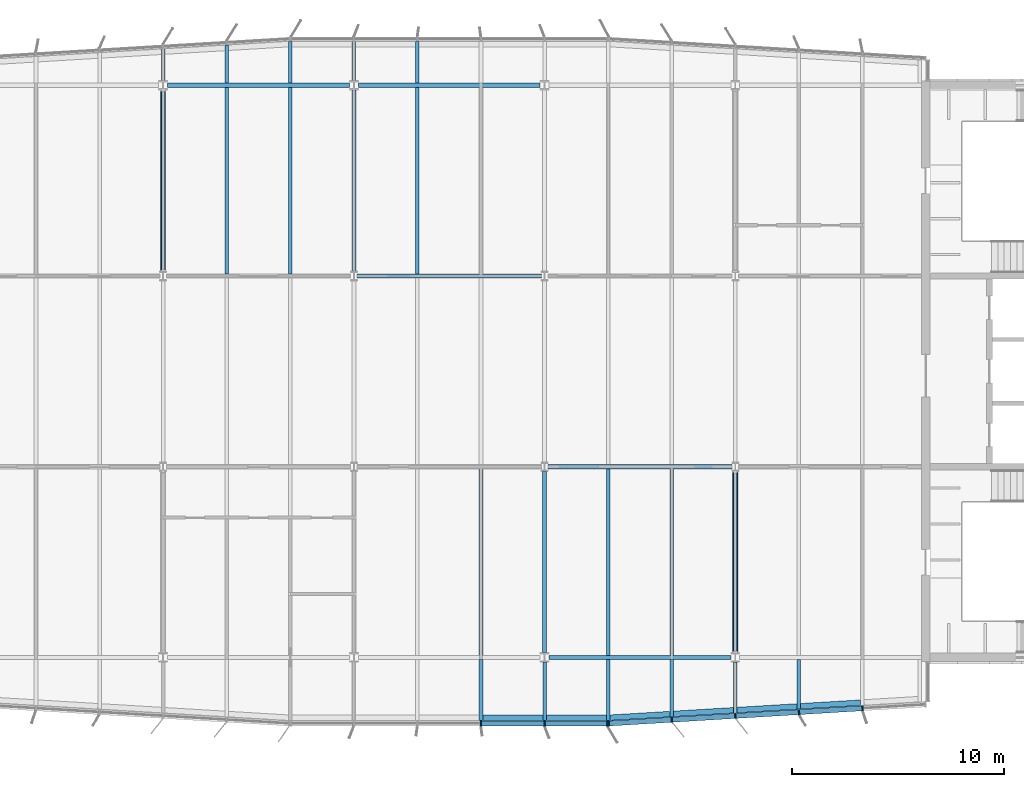
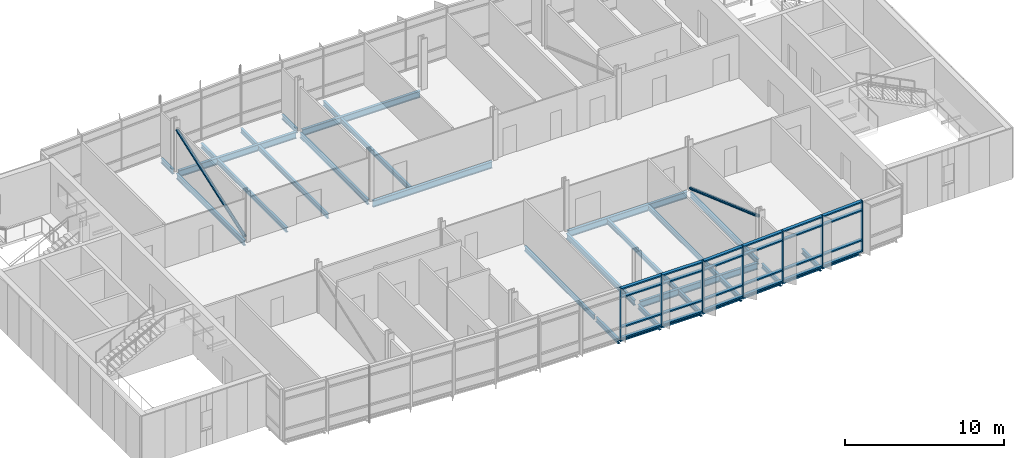
# One storey, part 5 of 18: 34 members, 32 beams, 2 elements without a shape of their own.
"""IFC4 building model written with IfcOpenShell, lengths in metres."""

import ifcopenshell
import ifcopenshell.guid

model = None  # the IFC model being written
_history = None  # IfcOwnerHistory: only IFC2X3 demands one
_inside = {}  # id of a spatial element -> (the spatial element, [elements in it])
_under = {}  # id of a project, library or spatial element -> (it, [spatial elements below it])
_declared = {}  # id of a project -> (the project, [libraries it declares])
_typed = {}  # id of a type object -> (the type object, [elements of that type])
_made_of = {}  # id of a material, layer set ... -> (it, [elements and type objects made of it])


def new_model(schema):
    """Start an empty IFC model of exactly this schema.

    Asked for "IFC4X3", IfcOpenShell would pick the latest addendum, in which some entities
    have other attributes; the version numbers below select the first issue.
    IFC2X3 requires an IfcOwnerHistory on every rooted entity: one is made here for all.
    """
    global model, _history
    if schema == "IFC4X3":
        model = ifcopenshell.file(schema_version=(4, 3, 0, 0))
    else:
        model = ifcopenshell.file(schema=schema)
    _inside.clear()
    _under.clear()
    _declared.clear()
    _typed.clear()
    _made_of.clear()
    _history = None
    if model.schema == "IFC2X3":
        org = make("IfcOrganization", Name="unknown")
        user = make(
            "IfcPersonAndOrganization",
            ThePerson=make("IfcPerson", FamilyName="unknown"),
            TheOrganization=org,
        )
        app = make(
            "IfcApplication",
            ApplicationDeveloper=org,
            Version="unknown",
            ApplicationFullName="unknown",
            ApplicationIdentifier="unknown",
        )
        _history = make(
            "IfcOwnerHistory",
            OwningUser=user,
            OwningApplication=app,
            ChangeAction="ADDED",
            CreationDate=0,
        )
    return model


def make(cls, **values):
    """One entity of the class cls with the attributes given. An attribute that is None is left unset."""
    return model.create_entity(
        cls, **{name: value for name, value in values.items() if value is not None}
    )


def rooted(cls, **values):
    """An entity with a GlobalId (a new one), such as an element, a storey or a relation."""
    return make(cls, GlobalId=ifcopenshell.guid.new(), OwnerHistory=_history, **values)


def si_unit(unit_type, name, prefix=None):
    """IfcSIUnit, for example si_unit("LENGTHUNIT", "METRE", prefix="MILLI")."""
    return make("IfcSIUnit", UnitType=unit_type, Prefix=prefix, Name=name)


def assignment(units):
    """IfcUnitAssignment: the units of a project."""
    return None if units is None else make("IfcUnitAssignment", Units=units)


def point(xyz):
    """IfcCartesianPoint."""
    return None if xyz is None else make("IfcCartesianPoint", Coordinates=xyz)


def direction(xyz):
    """IfcDirection."""
    return None if xyz is None else make("IfcDirection", DirectionRatios=xyz)


def frame(location, z_axis=None, x_axis=None):
    """IfcAxis2Placement3D, a coordinate frame: its origin and axes. An axis left out is left unset."""
    return make(
        "IfcAxis2Placement3D",
        Location=point(location),
        Axis=direction(z_axis),
        RefDirection=direction(x_axis),
    )


def frame_2d(location, x_axis=None):
    """IfcAxis2Placement2D, a coordinate frame in the plane: its origin and x axis."""
    return make(
        "IfcAxis2Placement2D", Location=point(location), RefDirection=direction(x_axis)
    )


def origin():
    """The frame at (0, 0, 0) with its axes left unset."""
    return frame((0.0, 0.0, 0.0))


def origin_2d():
    """The frame at (0, 0) in the plane with its x axis left unset."""
    return frame_2d((0.0, 0.0))


def place(relative_to, where):
    """IfcLocalPlacement: puts the frame where relative to a parent placement (None: the world)."""
    return make(
        "IfcLocalPlacement", PlacementRelTo=relative_to, RelativePlacement=where
    )


def context(
    kind, dimensions, precision=None, world=None, true_north=None, identifier=None
):
    """IfcGeometricRepresentationContext, for example the 3D "Model" context."""
    return make(
        "IfcGeometricRepresentationContext",
        ContextIdentifier=identifier,
        ContextType=kind,
        CoordinateSpaceDimension=dimensions,
        Precision=precision,
        WorldCoordinateSystem=world,
        TrueNorth=true_north,
    )


def subcontext(parent, identifier, kind, view, scale=None):
    """IfcGeometricRepresentationSubContext, for example "Body" below "Model"."""
    return make(
        "IfcGeometricRepresentationSubContext",
        ContextIdentifier=identifier,
        ContextType=kind,
        ParentContext=parent,
        TargetScale=scale,
        TargetView=view,
    )


def project(units=None, contexts=None):
    """IfcProject with its units and contexts."""
    return rooted(
        "IfcProject",
        Name="project",
        RepresentationContexts=contexts,
        UnitsInContext=assignment(units),
    )


def spatial(cls, under=None, at=None, **own):
    """A site, building, storey or space (cls), placed at a placement, below another one or the project."""
    s = rooted(cls, ObjectPlacement=at, **own)
    if under is not None:
        _under.setdefault(under.id(), (under, []))[1].append(s)
    return s


def profile(cls, at=None, kind="AREA", **sizes):
    """A parametric profile (cls). Its sizes go by their IFC names, for example OverallWidth=200.0."""
    return make(cls, ProfileType=kind, Position=at, **sizes)


def rectangle(**sizes):
    """IfcRectangleProfileDef."""
    return profile("IfcRectangleProfileDef", **sizes)


def hollow_circle(**sizes):
    """IfcCircleHollowProfileDef."""
    return profile("IfcCircleHollowProfileDef", **sizes)


def i_section(**sizes):
    """IfcIShapeProfileDef."""
    return profile("IfcIShapeProfileDef", **sizes)


def extrude(swept, where, along, depth):
    """IfcExtrudedAreaSolid: the profile swept, set in the frame where, extruded along a direction by depth."""
    return make(
        "IfcExtrudedAreaSolid",
        SweptArea=swept,
        Position=where,
        ExtrudedDirection=direction(along),
        Depth=depth,
    )


def shape(context_of_items, identifier, shape_type, items):
    """IfcShapeRepresentation: the items that make up one representation, for example the "Body"."""
    return make(
        "IfcShapeRepresentation",
        ContextOfItems=context_of_items,
        RepresentationIdentifier=identifier,
        RepresentationType=shape_type,
        Items=items,
    )


def material(Name=None, Category=None):
    """IfcMaterial."""
    return make("IfcMaterial", Name=Name, Category=Category)


def material_profile(
    of_material, cross_section, Name=None, Category=None, Priority=None
):
    """IfcMaterialProfile: a cross section and its material."""
    return make(
        "IfcMaterialProfile",
        Name=Name,
        Material=of_material,
        Profile=cross_section,
        Priority=Priority,
        Category=Category,
    )


def profile_set(profiles, Name=None, composite=None):
    """IfcMaterialProfileSet."""
    return make(
        "IfcMaterialProfileSet",
        Name=Name,
        MaterialProfiles=profiles,
        CompositeProfile=composite,
    )


def made_of(thing, what):
    """Note that an element or type object is made of a material, layer set ...; save() writes the relation."""
    if what is not None:
        _made_of.setdefault(what.id(), (what, []))[1].append(thing)
    return thing


def type_object(cls, material=None, **own):
    """A type object (cls), such as IfcWallType, which elements share."""
    return made_of(rooted(cls, **own), material)


def element(
    cls,
    number,
    at=None,
    inside=None,
    cuts=None,
    type_object=None,
    material=None,
    context=None,
    identifier="Body",
    shape_type=None,
    held_by="IfcProductDefinitionShape",
    body=None,
    shapes=None,
    **own,
):
    """One element of the class cls, such as IfcWall. Its Tag is "e" and its number.

    at: its placement. inside: the storey or other place that contains it. cuts: it is an
    opening in that element (IfcRelVoidsElement). A single representation is given by context,
    identifier, shape_type and body (its items); several are given by shapes. held_by: the class
    of the entity that holds the representations. save() writes the other relations.
    """
    e = rooted(cls, Tag="e%d" % number, ObjectPlacement=at, **own)
    if body is not None:
        shapes = [shape(context, identifier, shape_type, body)]
    if shapes is not None:
        e.Representation = make(held_by, Representations=shapes)
    if inside is not None:
        _inside.setdefault(inside.id(), (inside, []))[1].append(e)
    if cuts is not None:
        rooted(
            "IfcRelVoidsElement", RelatingBuildingElement=cuts, RelatedOpeningElement=e
        )
    if type_object is not None:
        _typed.setdefault(type_object.id(), (type_object, []))[1].append(e)
    return made_of(e, material)


def aggregate(whole, parts):
    """IfcRelAggregates: a whole, such as a stair, and the parts it consists of."""
    return rooted("IfcRelAggregates", RelatingObject=whole, RelatedObjects=parts)


def save(model, path):
    """Write the relations noted so far, then the file.

    IfcRelAggregates (storeys below a building ...), IfcRelContainedInSpatialStructure (elements
    in a storey), IfcRelDefinesByType, IfcRelAssociatesMaterial and IfcRelDeclares: one each for
    every whole, place, type object, material and project.
    """
    for whole, parts in _under.values():
        aggregate(whole, parts)
    for where, things in _inside.values():
        rooted(
            "IfcRelContainedInSpatialStructure",
            RelatedElements=things,
            RelatingStructure=where,
        )
    for kind, things in _typed.values():
        rooted("IfcRelDefinesByType", RelatedObjects=things, RelatingType=kind)
    for what, things in _made_of.values():
        rooted("IfcRelAssociatesMaterial", RelatedObjects=things, RelatingMaterial=what)
    for by, libraries in _declared.values():
        rooted("IfcRelDeclares", RelatingContext=by, RelatedDefinitions=libraries)
    model.write(path)


model = new_model("IFC4")

# Units and contexts
model_context = context("Model", 3, precision=1e-05, world=origin(), true_north=direction((0.0, 1.0)))
body_context = subcontext(model_context, "Body", "Model", "MODEL_VIEW")
ifc_project = project(units=[si_unit("LENGTHUNIT", "METRE"), si_unit("AREAUNIT", "SQUARE_METRE"), si_unit("VOLUMEUNIT", "CUBIC_METRE"), si_unit("PLANEANGLEUNIT", "RADIAN"), si_unit("MASSUNIT", "GRAM", prefix="KILO")], contexts=[model_context])

# Site, building, storey
site_placement = place(None, origin())
site = spatial("IfcSite", under=ifc_project, at=site_placement, CompositionType="ELEMENT")
building_placement = place(site_placement, origin())
building = spatial("IfcBuilding", under=site, at=building_placement, Name="Azimuth Sports and Learning Centre", CompositionType="ELEMENT")
storey_placement = place(building_placement, frame((0.0, 0.0, 55.800048828125)))
storey = spatial("IfcBuildingStorey", under=building, at=storey_placement, Name="L12", CompositionType="ELEMENT", Elevation=55.800048828125)

# Beams
ifc_material_1 = material(Name="Steel S355", Category="steel")
ifc_material_profile_1 = material_profile(ifc_material_1, i_section(OverallWidth=0.179931640625, OverallDepth=0.39990234375, WebThickness=0.008544921875, FlangeThickness=0.013427734375, FilletRadius=0.02099609375, at=origin_2d()), Name="IPE 400")
ifc_profile_set_1 = profile_set([ifc_material_profile_1], Name="Steel S355")
beam_type_1 = type_object("IfcBeamType", Name="Beam IPE 400", PredefinedType="BEAM", material=ifc_profile_set_1)
for number, where, z_axis, x_axis, name in (
    (1, (72.0, 108.216064453125, -0.330078125), (0.0, 1.0, 0.0), (-1.0, 0.0, 0.0), "Tower tie"),
    (2, (81.0, 108.216064453125, -0.330078125), (0.0, 1.0, 0.0), (-1.0, 0.0, 0.0), "Tower tie"),
    (3, (90.0, 90.2275390625, -0.330078125), (0.0, 1.0, 0.0), (-1.0, 0.0, 0.0), "Tower tie"),
    (4, (99.0, 90.2275390625, -0.330078125), (0.0, 1.0, 0.0), (-1.0, 0.0, 0.0), "Tower tie"),
):
    element("IfcBeam", number, at=place(storey_placement, frame(where, z_axis=z_axis, x_axis=x_axis)), inside=storey, type_object=beam_type_1, Name=name, PredefinedType="BEAM", context=body_context, shape_type="SweptSolid", body=[
        extrude(i_section(OverallWidth=0.179931640625, OverallDepth=0.39990234375, WebThickness=0.008544921875, FlangeThickness=0.013427734375, FilletRadius=0.02099609375, at=origin_2d()), origin(), (0.0, 0.0, 1.0), 8.556396484375),
    ])
ifc_material_2 = material(Name="Steel S355", Category="steel")
ifc_material_profile_2 = material_profile(ifc_material_2, i_section(OverallWidth=0.199951171875, OverallDepth=0.5, WebThickness=0.01025390625, FlangeThickness=0.01611328125, FilletRadius=0.02099609375, at=origin_2d()), Name="IPE 500")
ifc_profile_set_2 = profile_set([ifc_material_profile_2], Name="Steel S355")
beam_type_2 = type_object("IfcBeamType", Name="Beam IPE 500", PredefinedType="BEAM", material=ifc_profile_set_2)
beam_1_placement = place(storey_placement, frame((90.208984375, 90.0, -0.380126953125), z_axis=(1.0, 0.0, 0.0), x_axis=(0.0, 1.0, 0.0)))
element("IfcBeam", 5, at=beam_1_placement, inside=storey, type_object=beam_type_2, Name="Tower girder L12", PredefinedType="BEAM", context=body_context, shape_type="SweptSolid", body=[
    extrude(i_section(OverallWidth=0.199951171875, OverallDepth=0.5, WebThickness=0.01025390625, FlangeThickness=0.01611328125, FilletRadius=0.02099609375, at=origin_2d()), origin(), (0.0, 0.0, 1.0), 8.58203125),
])
for number, where, z_axis, x_axis, name in (
    (6, (90.153564453125, 99.0, -0.380126953125), (1.0, 0.0, 0.0), (0.0, 1.0, 0.0), "Tower girder L12"),
    (7, (81.153564453125, 108.0, -0.380126953125), (1.0, 0.0, 0.0), (0.0, 1.0, 0.0), "Tower girder L12"),
):
    element("IfcBeam", number, at=place(storey_placement, frame(where, z_axis=z_axis, x_axis=x_axis)), inside=storey, type_object=beam_type_2, Name=name, PredefinedType="BEAM", context=body_context, shape_type="SweptSolid", body=[
        extrude(i_section(OverallWidth=0.199951171875, OverallDepth=0.5, WebThickness=0.01025390625, FlangeThickness=0.01611328125, FilletRadius=0.02099609375, at=origin_2d()), origin(), (0.0, 0.0, 1.0), 8.69287109375),
    ])
for number, where, z_axis, x_axis, name in (
    (8, (72.208984375, 117.0, -0.380126953125), (1.0, 0.0, 0.0), (0.0, 1.0, 0.0), "Tower girder L12"),
    (9, (81.208984375, 117.0, -0.380126953125), (1.0, 0.0, 0.0), (0.0, 1.0, 0.0), "Tower girder L12"),
):
    element("IfcBeam", number, at=place(storey_placement, frame(where, z_axis=z_axis, x_axis=x_axis)), inside=storey, type_object=beam_type_2, Name=name, PredefinedType="BEAM", context=body_context, shape_type="SweptSolid", body=[
        extrude(i_section(OverallWidth=0.199951171875, OverallDepth=0.5, WebThickness=0.01025390625, FlangeThickness=0.01611328125, FilletRadius=0.02099609375, at=origin_2d()), origin(), (0.0, 0.0, 1.0), 8.58203125),
    ])

# Members
ifc_material_3 = material(Name="Steel S355", Category="steel")
ifc_material_profile_3 = material_profile(ifc_material_3, hollow_circle(Radius=0.122314453125, WallThickness=0.012451171875, at=origin_2d()), Name="CHS 244.5x12.5")
ifc_profile_set_3 = profile_set([ifc_material_profile_3], Name="Steel S355")
member_type_1 = type_object("IfcMemberType", Name="Brace CHS 244.5x12.5", PredefinedType="BRACE", material=ifc_profile_set_3)
for number, where, z_axis, x_axis, name in (
    (10, (72.0, 108.237060546875, 0.169677734375), (0.0, 0.942103788853, 0.33532141451), (-1.0, 0.0, 0.0), "Tower brace 9 L12"),
    (11, (99.0, 90.24853515625, 3.2001953125), (0.0, 0.942103788853, -0.33532141451), (-1.0, 0.0, 0.0), "Tower brace 12 L12"),
):
    element("IfcMember", number, at=place(storey_placement, frame(where, z_axis=z_axis, x_axis=x_axis)), inside=storey, type_object=member_type_1, Name=name, PredefinedType="BRACE", context=body_context, shape_type="SweptSolid", body=[
        extrude(hollow_circle(Radius=0.122314453125, WallThickness=0.012451171875, at=origin_2d()), origin(), (0.0, 0.0, 1.0), 9.03759765625),
    ])

# Beams
ifc_material_4 = material(Name="Steel S355", Category="steel")
ifc_material_profile_4 = material_profile(ifc_material_4, i_section(OverallWidth=0.169921875, OverallDepth=0.360107421875, WebThickness=0.008056640625, FlangeThickness=0.0126953125, FilletRadius=0.01806640625, at=origin_2d()), Name="IPE 360")
ifc_profile_set_4 = profile_set([ifc_material_profile_4], Name="Steel S355")
beam_type_3 = type_object("IfcBeamType", Name="Cantilever stub IPE 360", PredefinedType="JOIST", material=ifc_profile_set_4)
beam_2_placement = place(storey_placement, frame((87.0, 89.89990234375, -0.31005859375), z_axis=(0.0, -1.0, 0.0), x_axis=(1.0, 0.0, 0.0)))
element("IfcBeam", 12, at=beam_2_placement, inside=storey, type_object=beam_type_3, Name="Tower cantilever stub", PredefinedType="JOIST", context=body_context, shape_type="SweptSolid", body=[
    extrude(i_section(OverallWidth=0.169921875, OverallDepth=0.360107421875, WebThickness=0.008056640625, FlangeThickness=0.0126953125, FilletRadius=0.01806640625, at=origin_2d()), origin(), (0.0, 0.0, 1.0), 2.8798828125),
])
beam_3_placement = place(storey_placement, frame((90.0, 89.7724609375, -0.31005859375), z_axis=(0.0, -1.0, 0.0), x_axis=(1.0, 0.0, 0.0)))
element("IfcBeam", 13, at=beam_3_placement, inside=storey, type_object=beam_type_3, Name="Tower cantilever stub", PredefinedType="JOIST", context=body_context, shape_type="SweptSolid", body=[
    extrude(i_section(OverallWidth=0.169921875, OverallDepth=0.360107421875, WebThickness=0.008056640625, FlangeThickness=0.0126953125, FilletRadius=0.01806640625, at=origin_2d()), origin(), (0.0, 0.0, 1.0), 2.75244140625),
])
beam_4_placement = place(storey_placement, frame((93.0, 89.89990234375, -0.31005859375), z_axis=(0.0, -1.0, 0.0), x_axis=(1.0, 0.0, 0.0)))
element("IfcBeam", 14, at=beam_4_placement, inside=storey, type_object=beam_type_3, Name="Tower cantilever stub", PredefinedType="JOIST", context=body_context, shape_type="SweptSolid", body=[
    extrude(i_section(OverallWidth=0.169921875, OverallDepth=0.360107421875, WebThickness=0.008056640625, FlangeThickness=0.0126953125, FilletRadius=0.01806640625, at=origin_2d()), origin(), (0.0, 0.0, 1.0), 2.8798828125),
])
beam_5_placement = place(storey_placement, frame((96.0, 89.89990234375, -0.31005859375), z_axis=(0.0, -1.0, 0.0), x_axis=(1.0, 0.0, 0.0)))
element("IfcBeam", 15, at=beam_5_placement, inside=storey, type_object=beam_type_3, Name="Tower cantilever stub", PredefinedType="JOIST", context=body_context, shape_type="SweptSolid", body=[
    extrude(i_section(OverallWidth=0.169921875, OverallDepth=0.360107421875, WebThickness=0.008056640625, FlangeThickness=0.0126953125, FilletRadius=0.01806640625, at=origin_2d()), origin(), (0.0, 0.0, 1.0), 2.699951171875),
])
beam_6_placement = place(storey_placement, frame((99.0, 89.7724609375, -0.31005859375), z_axis=(0.0, -1.0, 0.0), x_axis=(1.0, 0.0, 0.0)))
element("IfcBeam", 16, at=beam_6_placement, inside=storey, type_object=beam_type_3, Name="Tower cantilever stub", PredefinedType="JOIST", context=body_context, shape_type="SweptSolid", body=[
    extrude(i_section(OverallWidth=0.169921875, OverallDepth=0.360107421875, WebThickness=0.008056640625, FlangeThickness=0.0126953125, FilletRadius=0.01806640625, at=origin_2d()), origin(), (0.0, 0.0, 1.0), 2.392578125),
])
beam_7_placement = place(storey_placement, frame((102.0, 89.89990234375, -0.31005859375), z_axis=(0.0, -1.0, 0.0), x_axis=(1.0, 0.0, 0.0)))
element("IfcBeam", 17, at=beam_7_placement, inside=storey, type_object=beam_type_3, Name="Tower cantilever stub", PredefinedType="JOIST", context=body_context, shape_type="SweptSolid", body=[
    extrude(i_section(OverallWidth=0.169921875, OverallDepth=0.360107421875, WebThickness=0.008056640625, FlangeThickness=0.0126953125, FilletRadius=0.01806640625, at=origin_2d()), origin(), (0.0, 0.0, 1.0), 2.33984375),
])
beam_8_placement = place(storey_placement, frame((72.0, 117.2275390625, -0.31005859375), z_axis=(0.0, 1.0, 0.0), x_axis=(-1.0, 0.0, 0.0)))
element("IfcBeam", 18, at=beam_8_placement, inside=storey, type_object=beam_type_3, Name="Tower cantilever stub", PredefinedType="JOIST", context=body_context, shape_type="SweptSolid", body=[
    extrude(i_section(OverallWidth=0.169921875, OverallDepth=0.360107421875, WebThickness=0.008056640625, FlangeThickness=0.0126953125, FilletRadius=0.01806640625, at=origin_2d()), origin(), (0.0, 0.0, 1.0), 1.492431640625),
])
beam_9_placement = place(storey_placement, frame((75.0, 117.10009765625, -0.31005859375), z_axis=(0.0, 1.0, 0.0), x_axis=(-1.0, 0.0, 0.0)))
element("IfcBeam", 19, at=beam_9_placement, inside=storey, type_object=beam_type_3, Name="Tower cantilever stub", PredefinedType="JOIST", context=body_context, shape_type="SweptSolid", body=[
    extrude(i_section(OverallWidth=0.169921875, OverallDepth=0.360107421875, WebThickness=0.008056640625, FlangeThickness=0.0126953125, FilletRadius=0.01806640625, at=origin_2d()), origin(), (0.0, 0.0, 1.0), 1.7998046875),
])
beam_10_placement = place(storey_placement, frame((78.0, 117.10009765625, -0.31005859375), z_axis=(0.0, 1.0, 0.0), x_axis=(-1.0, 0.0, 0.0)))
element("IfcBeam", 20, at=beam_10_placement, inside=storey, type_object=beam_type_3, Name="Tower cantilever stub", PredefinedType="JOIST", context=body_context, shape_type="SweptSolid", body=[
    extrude(i_section(OverallWidth=0.169921875, OverallDepth=0.360107421875, WebThickness=0.008056640625, FlangeThickness=0.0126953125, FilletRadius=0.01806640625, at=origin_2d()), origin(), (0.0, 0.0, 1.0), 1.97998046875),
])
beam_11_placement = place(storey_placement, frame((81.0, 117.2275390625, -0.31005859375), z_axis=(0.0, 1.0, 0.0), x_axis=(-1.0, 0.0, 0.0)))
element("IfcBeam", 21, at=beam_11_placement, inside=storey, type_object=beam_type_3, Name="Tower cantilever stub", PredefinedType="JOIST", context=body_context, shape_type="SweptSolid", body=[
    extrude(i_section(OverallWidth=0.169921875, OverallDepth=0.360107421875, WebThickness=0.008056640625, FlangeThickness=0.0126953125, FilletRadius=0.01806640625, at=origin_2d()), origin(), (0.0, 0.0, 1.0), 1.8525390625),
])
beam_12_placement = place(storey_placement, frame((84.0, 117.10009765625, -0.31005859375), z_axis=(0.0, 1.0, 0.0), x_axis=(-1.0, 0.0, 0.0)))
element("IfcBeam", 22, at=beam_12_placement, inside=storey, type_object=beam_type_3, Name="Tower cantilever stub", PredefinedType="JOIST", context=body_context, shape_type="SweptSolid", body=[
    extrude(i_section(OverallWidth=0.169921875, OverallDepth=0.360107421875, WebThickness=0.008056640625, FlangeThickness=0.0126953125, FilletRadius=0.01806640625, at=origin_2d()), origin(), (0.0, 0.0, 1.0), 1.97998046875),
])
ifc_material_5 = material(Name="Steel S355", Category="steel")
ifc_material_profile_5 = material_profile(ifc_material_5, i_section(OverallWidth=0.260009765625, OverallDepth=0.25, WebThickness=0.007568359375, FlangeThickness=0.012451171875, FilletRadius=0.02392578125, at=origin_2d()), Name="HEA 260")
ifc_profile_set_5 = profile_set([ifc_material_profile_5], Name="Steel S355")
beam_type_4 = type_object("IfcBeamType", Name="Edge beam HEA 260", PredefinedType="SPANDREL", material=ifc_profile_set_5)
for number, where, z_axis, x_axis, name in (
    (23, (87.0849609375, 87.14990234375, -0.255126953125), (1.0, 0.0, 0.0), (0.0, 1.0, 0.0), "Tower edge beam"),
    (24, (90.0849609375, 87.14990234375, -0.255126953125), (1.0, 0.0, 0.0), (0.0, 1.0, 0.0), "Tower edge beam"),
):
    element("IfcBeam", number, at=place(storey_placement, frame(where, z_axis=z_axis, x_axis=x_axis)), inside=storey, type_object=beam_type_4, Name=name, PredefinedType="SPANDREL", context=body_context, shape_type="SweptSolid", body=[
        extrude(i_section(OverallWidth=0.260009765625, OverallDepth=0.25, WebThickness=0.007568359375, FlangeThickness=0.012451171875, FilletRadius=0.02392578125, at=origin_2d()), origin(), (0.0, 0.0, 1.0), 2.830078125),
    ])
for number, where, z_axis, x_axis, name in (
    (25, (93.0849609375, 87.155029296875, -0.255126953125), (0.998202373506, 0.059933475842, 0.0), (-0.059933475842, 0.998202373506, 0.0), "Tower edge beam"),
    (26, (96.0849609375, 87.335205078125, -0.255126953125), (0.998207521518, 0.059847673176, 0.0), (-0.059847673176, 0.998207521518, 0.0), "Tower edge beam"),
    (27, (99.0849609375, 87.51513671875, -0.255126953125), (0.998207521518, 0.059847673176, 0.0), (-0.059847673176, 0.998207521518, 0.0), "Tower edge beam"),
    (28, (102.0849609375, 87.695068359375, -0.255126953125), (0.998202373506, 0.059933475842, 0.0), (-0.059933475842, 0.998202373506, 0.0), "Tower edge beam"),
):
    element("IfcBeam", number, at=place(storey_placement, frame(where, z_axis=z_axis, x_axis=x_axis)), inside=storey, type_object=beam_type_4, Name=name, PredefinedType="SPANDREL", context=body_context, shape_type="SweptSolid", body=[
        extrude(i_section(OverallWidth=0.260009765625, OverallDepth=0.25, WebThickness=0.007568359375, FlangeThickness=0.012451171875, FilletRadius=0.02392578125, at=origin_2d()), origin(), (0.0, 0.0, 1.0), 2.835205078125),
    ])
ifc_material_6 = material(Name="Steel S355", Category="steel")
ifc_material_profile_6 = material_profile(ifc_material_6, i_section(OverallWidth=0.169921875, OverallDepth=0.360107421875, WebThickness=0.008056640625, FlangeThickness=0.0126953125, FilletRadius=0.01806640625, at=origin_2d()), Name="IPE 360")
ifc_profile_set_6 = profile_set([ifc_material_profile_6], Name="Steel S355")
beam_type_5 = type_object("IfcBeamType", Name="Joist IPE 360", PredefinedType="JOIST", material=ifc_profile_set_6)
for number, where, z_axis, x_axis, name in (
    (29, (75.0, 108.10009765625, -0.31005859375), (0.0, 1.0, 0.0), (-1.0, 0.0, 0.0), "Tower joist"),
    (30, (78.0, 108.10009765625, -0.31005859375), (0.0, 1.0, 0.0), (-1.0, 0.0, 0.0), "Tower joist"),
    (31, (84.0, 108.10009765625, -0.31005859375), (0.0, 1.0, 0.0), (-1.0, 0.0, 0.0), "Tower joist"),
    (32, (87.0, 90.10009765625, -0.31005859375), (0.0, 1.0, 0.0), (-1.0, 0.0, 0.0), "Tower joist"),
    (33, (93.0, 90.10009765625, -0.31005859375), (0.0, 1.0, 0.0), (-1.0, 0.0, 0.0), "Tower joist"),
    (34, (96.0, 90.10009765625, -0.31005859375), (0.0, 1.0, 0.0), (-1.0, 0.0, 0.0), "Tower joist"),
):
    element("IfcBeam", number, at=place(storey_placement, frame(where, z_axis=z_axis, x_axis=x_axis)), inside=storey, type_object=beam_type_5, Name=name, PredefinedType="JOIST", context=body_context, shape_type="SweptSolid", body=[
        extrude(i_section(OverallWidth=0.169921875, OverallDepth=0.360107421875, WebThickness=0.008056640625, FlangeThickness=0.0126953125, FilletRadius=0.01806640625, at=origin_2d()), origin(), (0.0, 0.0, 1.0), 8.7998046875),
    ])

# Curtain wall, members
ifc_material_7 = material(Name="Aluminium and glass", Category="aluminium")
curtain_wall_type = type_object("IfcCurtainWallType", Name="Curtain wall tower south 240", PredefinedType="NOTDEFINED", material=ifc_material_7)
curtain_wall_1_placement = place(storey_placement, origin())
curtain_wall_1 = element("IfcCurtainWall", 35, at=curtain_wall_1_placement, inside=storey, type_object=curtain_wall_type, Name="Curtain wall CW12-003", PredefinedType="NOTDEFINED")
ifc_material_8 = material(Name="Aluminium", Category="aluminium")
ifc_material_profile_7 = material_profile(ifc_material_8, rectangle(XDim=0.239990234375, YDim=0.070068359375, at=origin_2d()), Name="Mullion 70x240")
ifc_profile_set_7 = profile_set([ifc_material_profile_7], Name="Aluminium")
member_type_2 = type_object("IfcMemberType", Name="Mullion 70x240", PredefinedType="MULLION", material=ifc_profile_set_7)
member_1_placement = place(storey_placement, frame((87.0, 86.8798828125, 0.0), z_axis=(0.0, 0.0, 1.0), x_axis=(0.0, 1.0, 0.0)))
member_1 = element("IfcMember", 36, at=member_1_placement, type_object=member_type_2, Name="CW12-003 mullion 4", PredefinedType="MULLION", context=body_context, shape_type="SweptSolid", body=[
    extrude(rectangle(XDim=0.239990234375, YDim=0.070068359375, at=origin_2d()), origin(), (0.0, 0.0, 1.0), 3.89990234375),
])
member_2_placement = place(storey_placement, frame((90.0, 86.8798828125, 0.0), z_axis=(0.0, 0.0, 1.0), x_axis=(0.0, 1.0, 0.0)))
member_2 = element("IfcMember", 37, at=member_2_placement, type_object=member_type_2, Name="CW12-003 mullion 5", PredefinedType="MULLION", context=body_context, shape_type="SweptSolid", body=[
    extrude(rectangle(XDim=0.239990234375, YDim=0.070068359375, at=origin_2d()), origin(), (0.0, 0.0, 1.0), 3.89990234375),
])
member_3_placement = place(storey_placement, frame((92.965087890625, 86.8798828125, 0.0), z_axis=(0.0, 0.0, 1.0), x_axis=(0.0, 1.0, 0.0)))
member_3 = element("IfcMember", 38, at=member_3_placement, type_object=member_type_2, Name="CW12-003 mullion 6", PredefinedType="MULLION", context=body_context, shape_type="SweptSolid", body=[
    extrude(rectangle(XDim=0.239990234375, YDim=0.070068359375, at=origin_2d()), origin(), (0.0, 0.0, 1.0), 3.89990234375),
])

curtain_wall_2_placement = place(storey_placement, origin())
curtain_wall_2 = element("IfcCurtainWall", 39, at=curtain_wall_2_placement, inside=storey, type_object=curtain_wall_type, Name="Curtain wall CW12-004", PredefinedType="NOTDEFINED")
member_4_placement = place(storey_placement, frame((93.034912109375, 86.8818359375, 0.0), z_axis=(0.0, 0.0, 1.0), x_axis=(-0.059891991812, 0.998204863401, 0.0)))
member_4 = element("IfcMember", 40, at=member_4_placement, type_object=member_type_2, Name="CW12-004 mullion 1", PredefinedType="MULLION", context=body_context, shape_type="SweptSolid", body=[
    extrude(rectangle(XDim=0.239990234375, YDim=0.070068359375, at=origin_2d()), origin(), (0.0, 0.0, 1.0), 3.89990234375),
])
member_5_placement = place(storey_placement, frame((96.007080078125, 87.060302734375, 0.0), z_axis=(0.0, 0.0, 1.0), x_axis=(-0.059891991812, 0.998204863401, 0.0)))
member_5 = element("IfcMember", 41, at=member_5_placement, type_object=member_type_2, Name="CW12-004 mullion 2", PredefinedType="MULLION", context=body_context, shape_type="SweptSolid", body=[
    extrude(rectangle(XDim=0.239990234375, YDim=0.070068359375, at=origin_2d()), origin(), (0.0, 0.0, 1.0), 3.89990234375),
])
member_6_placement = place(storey_placement, frame((99.007080078125, 87.240234375, 0.0), z_axis=(0.0, 0.0, 1.0), x_axis=(-0.059891991812, 0.998204863401, 0.0)))
member_6 = element("IfcMember", 42, at=member_6_placement, type_object=member_type_2, Name="CW12-004 mullion 3", PredefinedType="MULLION", context=body_context, shape_type="SweptSolid", body=[
    extrude(rectangle(XDim=0.239990234375, YDim=0.070068359375, at=origin_2d()), origin(), (0.0, 0.0, 1.0), 3.89990234375),
])
member_7_placement = place(storey_placement, frame((102.007080078125, 87.420166015625, 0.0), z_axis=(0.0, 0.0, 1.0), x_axis=(-0.059891991812, 0.998204863401, 0.0)))
member_7 = element("IfcMember", 43, at=member_7_placement, type_object=member_type_2, Name="CW12-004 mullion 4", PredefinedType="MULLION", context=body_context, shape_type="SweptSolid", body=[
    extrude(rectangle(XDim=0.239990234375, YDim=0.070068359375, at=origin_2d()), origin(), (0.0, 0.0, 1.0), 3.89990234375),
])
member_8_placement = place(storey_placement, frame((105.007080078125, 87.60009765625, 0.0), z_axis=(0.0, 0.0, 1.0), x_axis=(-0.059891991812, 0.998204863401, 0.0)))
member_8 = element("IfcMember", 44, at=member_8_placement, type_object=member_type_2, Name="CW12-004 mullion 5", PredefinedType="MULLION", context=body_context, shape_type="SweptSolid", body=[
    extrude(rectangle(XDim=0.239990234375, YDim=0.070068359375, at=origin_2d()), origin(), (0.0, 0.0, 1.0), 3.89990234375),
])

# Member
ifc_material_9 = material(Name="Aluminium", Category="aluminium")
ifc_material_profile_8 = material_profile(ifc_material_9, rectangle(XDim=0.239990234375, YDim=0.10009765625, at=origin_2d()), Name="Transom 100x240")
ifc_profile_set_8 = profile_set([ifc_material_profile_8], Name="Aluminium")
member_type_3 = type_object("IfcMemberType", Name="Transom 100x240", PredefinedType="USERDEFINED", material=ifc_profile_set_8)
member_9_placement = place(storey_placement, frame((87.034912109375, 86.8798828125, 0.050048828125), z_axis=(1.0, 0.0, 0.0), x_axis=(0.0, 1.0, 0.0)))
member_9 = element("IfcMember", 45, at=member_9_placement, type_object=member_type_3, Name="CW12-003 transom 4.1", ObjectType="TRANSOM", PredefinedType="USERDEFINED", context=body_context, shape_type="SweptSolid", body=[
    extrude(rectangle(XDim=0.239990234375, YDim=0.10009765625, at=origin_2d()), origin(), (0.0, 0.0, 1.0), 2.93017578125),
])

member_10_placement = place(storey_placement, frame((87.034912109375, 86.8798828125, 0.89990234375), z_axis=(1.0, 0.0, 0.0), x_axis=(0.0, 1.0, 0.0)))
member_10 = element("IfcMember", 46, at=member_10_placement, type_object=member_type_3, Name="CW12-003 transom 4.2", ObjectType="TRANSOM", PredefinedType="USERDEFINED", context=body_context, shape_type="SweptSolid", body=[
    extrude(rectangle(XDim=0.239990234375, YDim=0.10009765625, at=origin_2d()), origin(), (0.0, 0.0, 1.0), 2.93017578125),
])

member_11_placement = place(storey_placement, frame((87.034912109375, 86.8798828125, 3.199951171875), z_axis=(1.0, 0.0, 0.0), x_axis=(0.0, 1.0, 0.0)))
member_11 = element("IfcMember", 47, at=member_11_placement, type_object=member_type_3, Name="CW12-003 transom 4.3", ObjectType="TRANSOM", PredefinedType="USERDEFINED", context=body_context, shape_type="SweptSolid", body=[
    extrude(rectangle(XDim=0.239990234375, YDim=0.10009765625, at=origin_2d()), origin(), (0.0, 0.0, 1.0), 2.93017578125),
])

member_12_placement = place(storey_placement, frame((87.034912109375, 86.8798828125, 3.849853515625), z_axis=(1.0, 0.0, 0.0), x_axis=(0.0, 1.0, 0.0)))
member_12 = element("IfcMember", 48, at=member_12_placement, type_object=member_type_3, Name="CW12-003 transom 4.4", ObjectType="TRANSOM", PredefinedType="USERDEFINED", context=body_context, shape_type="SweptSolid", body=[
    extrude(rectangle(XDim=0.239990234375, YDim=0.10009765625, at=origin_2d()), origin(), (0.0, 0.0, 1.0), 2.93017578125),
])

member_13_placement = place(storey_placement, frame((90.034912109375, 86.8798828125, 0.050048828125), z_axis=(1.0, 0.0, 0.0), x_axis=(0.0, 1.0, 0.0)))
member_13 = element("IfcMember", 49, at=member_13_placement, type_object=member_type_3, Name="CW12-003 transom 5.1", ObjectType="TRANSOM", PredefinedType="USERDEFINED", context=body_context, shape_type="SweptSolid", body=[
    extrude(rectangle(XDim=0.239990234375, YDim=0.10009765625, at=origin_2d()), origin(), (0.0, 0.0, 1.0), 2.89501953125),
])

member_14_placement = place(storey_placement, frame((90.034912109375, 86.8798828125, 0.89990234375), z_axis=(1.0, 0.0, 0.0), x_axis=(0.0, 1.0, 0.0)))
member_14 = element("IfcMember", 50, at=member_14_placement, type_object=member_type_3, Name="CW12-003 transom 5.2", ObjectType="TRANSOM", PredefinedType="USERDEFINED", context=body_context, shape_type="SweptSolid", body=[
    extrude(rectangle(XDim=0.239990234375, YDim=0.10009765625, at=origin_2d()), origin(), (0.0, 0.0, 1.0), 2.89501953125),
])

member_15_placement = place(storey_placement, frame((90.034912109375, 86.8798828125, 3.199951171875), z_axis=(1.0, 0.0, 0.0), x_axis=(0.0, 1.0, 0.0)))
member_15 = element("IfcMember", 51, at=member_15_placement, type_object=member_type_3, Name="CW12-003 transom 5.3", ObjectType="TRANSOM", PredefinedType="USERDEFINED", context=body_context, shape_type="SweptSolid", body=[
    extrude(rectangle(XDim=0.239990234375, YDim=0.10009765625, at=origin_2d()), origin(), (0.0, 0.0, 1.0), 2.89501953125),
])

member_16_placement = place(storey_placement, frame((90.034912109375, 86.8798828125, 3.849853515625), z_axis=(1.0, 0.0, 0.0), x_axis=(0.0, 1.0, 0.0)))
member_16 = element("IfcMember", 52, at=member_16_placement, type_object=member_type_3, Name="CW12-003 transom 5.4", ObjectType="TRANSOM", PredefinedType="USERDEFINED", context=body_context, shape_type="SweptSolid", body=[
    extrude(rectangle(XDim=0.239990234375, YDim=0.10009765625, at=origin_2d()), origin(), (0.0, 0.0, 1.0), 2.89501953125),
])

aggregate(curtain_wall_1, [member_1, member_2, member_3, member_9, member_10, member_11, member_12, member_13, member_14, member_15, member_16])

member_17_placement = place(storey_placement, frame((93.06982421875, 86.884033203125, 0.050048828125), z_axis=(0.998206250786, 0.059868864133, 0.0), x_axis=(-0.059868864133, 0.998206250786, 0.0)))
member_17 = element("IfcMember", 53, at=member_17_placement, type_object=member_type_3, Name="CW12-004 transom 1.1", ObjectType="TRANSOM", PredefinedType="USERDEFINED", context=body_context, shape_type="SweptSolid", body=[
    extrude(rectangle(XDim=0.239990234375, YDim=0.10009765625, at=origin_2d()), origin(), (0.0, 0.0, 1.0), 2.907470703125),
])

member_18_placement = place(storey_placement, frame((93.06982421875, 86.884033203125, 0.89990234375), z_axis=(0.998206250786, 0.059868864133, 0.0), x_axis=(-0.059868864133, 0.998206250786, 0.0)))
member_18 = element("IfcMember", 54, at=member_18_placement, type_object=member_type_3, Name="CW12-004 transom 1.2", ObjectType="TRANSOM", PredefinedType="USERDEFINED", context=body_context, shape_type="SweptSolid", body=[
    extrude(rectangle(XDim=0.239990234375, YDim=0.10009765625, at=origin_2d()), origin(), (0.0, 0.0, 1.0), 2.907470703125),
])

member_19_placement = place(storey_placement, frame((93.06982421875, 86.884033203125, 3.199951171875), z_axis=(0.998206250786, 0.059868864133, 0.0), x_axis=(-0.059868864133, 0.998206250786, 0.0)))
member_19 = element("IfcMember", 55, at=member_19_placement, type_object=member_type_3, Name="CW12-004 transom 1.3", ObjectType="TRANSOM", PredefinedType="USERDEFINED", context=body_context, shape_type="SweptSolid", body=[
    extrude(rectangle(XDim=0.239990234375, YDim=0.10009765625, at=origin_2d()), origin(), (0.0, 0.0, 1.0), 2.907470703125),
])

member_20_placement = place(storey_placement, frame((93.06982421875, 86.884033203125, 3.849853515625), z_axis=(0.998206250786, 0.059868864133, 0.0), x_axis=(-0.059868864133, 0.998206250786, 0.0)))
member_20 = element("IfcMember", 56, at=member_20_placement, type_object=member_type_3, Name="CW12-004 transom 1.4", ObjectType="TRANSOM", PredefinedType="USERDEFINED", context=body_context, shape_type="SweptSolid", body=[
    extrude(rectangle(XDim=0.239990234375, YDim=0.10009765625, at=origin_2d()), origin(), (0.0, 0.0, 1.0), 2.907470703125),
])

member_21_placement = place(storey_placement, frame((96.042236328125, 87.062255859375, 0.050048828125), z_axis=(0.998205143816, 0.059887318019, 0.0), x_axis=(-0.059887318019, 0.998205143816, 0.0)))
member_21 = element("IfcMember", 57, at=member_21_placement, type_object=member_type_3, Name="CW12-004 transom 2.1", ObjectType="TRANSOM", PredefinedType="USERDEFINED", context=body_context, shape_type="SweptSolid", body=[
    extrude(rectangle(XDim=0.239990234375, YDim=0.10009765625, at=origin_2d()), origin(), (0.0, 0.0, 1.0), 2.935302734375),
])

member_22_placement = place(storey_placement, frame((96.042236328125, 87.062255859375, 0.89990234375), z_axis=(0.998205143816, 0.059887318019, 0.0), x_axis=(-0.059887318019, 0.998205143816, 0.0)))
member_22 = element("IfcMember", 58, at=member_22_placement, type_object=member_type_3, Name="CW12-004 transom 2.2", ObjectType="TRANSOM", PredefinedType="USERDEFINED", context=body_context, shape_type="SweptSolid", body=[
    extrude(rectangle(XDim=0.239990234375, YDim=0.10009765625, at=origin_2d()), origin(), (0.0, 0.0, 1.0), 2.935302734375),
])

member_23_placement = place(storey_placement, frame((96.042236328125, 87.062255859375, 3.199951171875), z_axis=(0.998205143816, 0.059887318019, 0.0), x_axis=(-0.059887318019, 0.998205143816, 0.0)))
member_23 = element("IfcMember", 59, at=member_23_placement, type_object=member_type_3, Name="CW12-004 transom 2.3", ObjectType="TRANSOM", PredefinedType="USERDEFINED", context=body_context, shape_type="SweptSolid", body=[
    extrude(rectangle(XDim=0.239990234375, YDim=0.10009765625, at=origin_2d()), origin(), (0.0, 0.0, 1.0), 2.935302734375),
])

member_24_placement = place(storey_placement, frame((96.042236328125, 87.062255859375, 3.849853515625), z_axis=(0.998205143816, 0.059887318019, 0.0), x_axis=(-0.059887318019, 0.998205143816, 0.0)))
member_24 = element("IfcMember", 60, at=member_24_placement, type_object=member_type_3, Name="CW12-004 transom 2.4", ObjectType="TRANSOM", PredefinedType="USERDEFINED", context=body_context, shape_type="SweptSolid", body=[
    extrude(rectangle(XDim=0.239990234375, YDim=0.10009765625, at=origin_2d()), origin(), (0.0, 0.0, 1.0), 2.935302734375),
])

member_25_placement = place(storey_placement, frame((99.042236328125, 87.242431640625, 0.050048828125), z_axis=(0.998205143816, 0.059887318019, 0.0), x_axis=(-0.059887318019, 0.998205143816, 0.0)))
member_25 = element("IfcMember", 61, at=member_25_placement, type_object=member_type_3, Name="CW12-004 transom 3.1", ObjectType="TRANSOM", PredefinedType="USERDEFINED", context=body_context, shape_type="SweptSolid", body=[
    extrude(rectangle(XDim=0.239990234375, YDim=0.10009765625, at=origin_2d()), origin(), (0.0, 0.0, 1.0), 2.935302734375),
])

member_26_placement = place(storey_placement, frame((99.042236328125, 87.242431640625, 0.89990234375), z_axis=(0.998205143816, 0.059887318019, 0.0), x_axis=(-0.059887318019, 0.998205143816, 0.0)))
member_26 = element("IfcMember", 62, at=member_26_placement, type_object=member_type_3, Name="CW12-004 transom 3.2", ObjectType="TRANSOM", PredefinedType="USERDEFINED", context=body_context, shape_type="SweptSolid", body=[
    extrude(rectangle(XDim=0.239990234375, YDim=0.10009765625, at=origin_2d()), origin(), (0.0, 0.0, 1.0), 2.935302734375),
])

member_27_placement = place(storey_placement, frame((99.042236328125, 87.242431640625, 3.199951171875), z_axis=(0.998205143816, 0.059887318019, 0.0), x_axis=(-0.059887318019, 0.998205143816, 0.0)))
member_27 = element("IfcMember", 63, at=member_27_placement, type_object=member_type_3, Name="CW12-004 transom 3.3", ObjectType="TRANSOM", PredefinedType="USERDEFINED", context=body_context, shape_type="SweptSolid", body=[
    extrude(rectangle(XDim=0.239990234375, YDim=0.10009765625, at=origin_2d()), origin(), (0.0, 0.0, 1.0), 2.935302734375),
])

member_28_placement = place(storey_placement, frame((99.042236328125, 87.242431640625, 3.849853515625), z_axis=(0.998205143816, 0.059887318019, 0.0), x_axis=(-0.059887318019, 0.998205143816, 0.0)))
member_28 = element("IfcMember", 64, at=member_28_placement, type_object=member_type_3, Name="CW12-004 transom 3.4", ObjectType="TRANSOM", PredefinedType="USERDEFINED", context=body_context, shape_type="SweptSolid", body=[
    extrude(rectangle(XDim=0.239990234375, YDim=0.10009765625, at=origin_2d()), origin(), (0.0, 0.0, 1.0), 2.935302734375),
])

member_29_placement = place(storey_placement, frame((102.042236328125, 87.42236328125, 0.050048828125), z_axis=(0.998205143816, 0.059887318019, 0.0), x_axis=(-0.059887318019, 0.998205143816, 0.0)))
member_29 = element("IfcMember", 65, at=member_29_placement, type_object=member_type_3, Name="CW12-004 transom 4.1", ObjectType="TRANSOM", PredefinedType="USERDEFINED", context=body_context, shape_type="SweptSolid", body=[
    extrude(rectangle(XDim=0.239990234375, YDim=0.10009765625, at=origin_2d()), origin(), (0.0, 0.0, 1.0), 2.935302734375),
])

member_30_placement = place(storey_placement, frame((102.042236328125, 87.42236328125, 0.89990234375), z_axis=(0.998205143816, 0.059887318019, 0.0), x_axis=(-0.059887318019, 0.998205143816, 0.0)))
member_30 = element("IfcMember", 66, at=member_30_placement, type_object=member_type_3, Name="CW12-004 transom 4.2", ObjectType="TRANSOM", PredefinedType="USERDEFINED", context=body_context, shape_type="SweptSolid", body=[
    extrude(rectangle(XDim=0.239990234375, YDim=0.10009765625, at=origin_2d()), origin(), (0.0, 0.0, 1.0), 2.935302734375),
])

member_31_placement = place(storey_placement, frame((102.042236328125, 87.42236328125, 3.199951171875), z_axis=(0.998205143816, 0.059887318019, 0.0), x_axis=(-0.059887318019, 0.998205143816, 0.0)))
member_31 = element("IfcMember", 67, at=member_31_placement, type_object=member_type_3, Name="CW12-004 transom 4.3", ObjectType="TRANSOM", PredefinedType="USERDEFINED", context=body_context, shape_type="SweptSolid", body=[
    extrude(rectangle(XDim=0.239990234375, YDim=0.10009765625, at=origin_2d()), origin(), (0.0, 0.0, 1.0), 2.935302734375),
])

member_32_placement = place(storey_placement, frame((102.042236328125, 87.42236328125, 3.849853515625), z_axis=(0.998205143816, 0.059887318019, 0.0), x_axis=(-0.059887318019, 0.998205143816, 0.0)))
member_32 = element("IfcMember", 68, at=member_32_placement, type_object=member_type_3, Name="CW12-004 transom 4.4", ObjectType="TRANSOM", PredefinedType="USERDEFINED", context=body_context, shape_type="SweptSolid", body=[
    extrude(rectangle(XDim=0.239990234375, YDim=0.10009765625, at=origin_2d()), origin(), (0.0, 0.0, 1.0), 2.935302734375),
])

aggregate(curtain_wall_2, [member_4, member_5, member_6, member_7, member_8, member_17, member_18, member_19, member_20, member_21, member_22, member_23, member_24, member_25, member_26, member_27, member_28, member_29, member_30, member_31, member_32])

save(model, "model.ifc")
